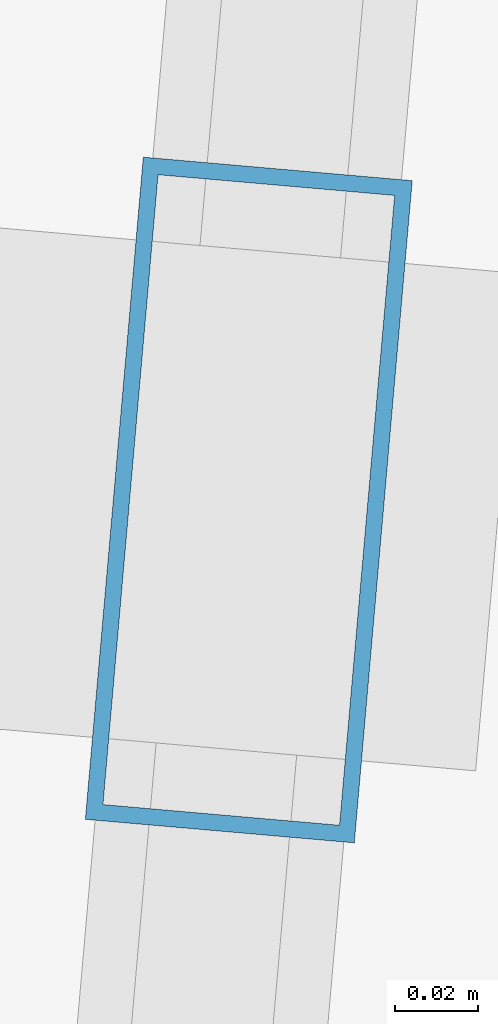
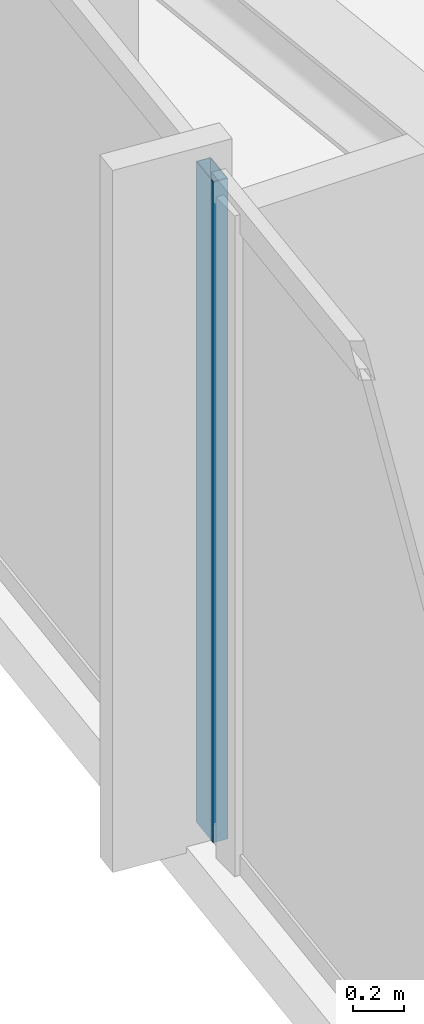
# One storey, part 5 of 32: 1 member, 1 element without a shape of its own.
"""IFC4 building model written with IfcOpenShell, lengths in metres."""

import ifcopenshell
import ifcopenshell.guid

model = None  # the IFC model being written
_history = None  # IfcOwnerHistory: only IFC2X3 demands one
_inside = {}  # id of a spatial element -> (the spatial element, [elements in it])
_under = {}  # id of a project, library or spatial element -> (it, [spatial elements below it])
_declared = {}  # id of a project -> (the project, [libraries it declares])
_typed = {}  # id of a type object -> (the type object, [elements of that type])
_made_of = {}  # id of a material, layer set ... -> (it, [elements and type objects made of it])


def new_model(schema):
    """Start an empty IFC model of exactly this schema.

    Asked for "IFC4X3", IfcOpenShell would pick the latest addendum, in which some entities
    have other attributes; the version numbers below select the first issue.
    IFC2X3 requires an IfcOwnerHistory on every rooted entity: one is made here for all.
    """
    global model, _history
    if schema == "IFC4X3":
        model = ifcopenshell.file(schema_version=(4, 3, 0, 0))
    else:
        model = ifcopenshell.file(schema=schema)
    _inside.clear()
    _under.clear()
    _declared.clear()
    _typed.clear()
    _made_of.clear()
    _history = None
    if model.schema == "IFC2X3":
        org = make("IfcOrganization", Name="unknown")
        user = make(
            "IfcPersonAndOrganization",
            ThePerson=make("IfcPerson", FamilyName="unknown"),
            TheOrganization=org,
        )
        app = make(
            "IfcApplication",
            ApplicationDeveloper=org,
            Version="unknown",
            ApplicationFullName="unknown",
            ApplicationIdentifier="unknown",
        )
        _history = make(
            "IfcOwnerHistory",
            OwningUser=user,
            OwningApplication=app,
            ChangeAction="ADDED",
            CreationDate=0,
        )
    return model


def make(cls, **values):
    """One entity of the class cls with the attributes given. An attribute that is None is left unset."""
    return model.create_entity(
        cls, **{name: value for name, value in values.items() if value is not None}
    )


def rooted(cls, **values):
    """An entity with a GlobalId (a new one), such as an element, a storey or a relation."""
    return make(cls, GlobalId=ifcopenshell.guid.new(), OwnerHistory=_history, **values)


def si_unit(unit_type, name, prefix=None):
    """IfcSIUnit, for example si_unit("LENGTHUNIT", "METRE", prefix="MILLI")."""
    return make("IfcSIUnit", UnitType=unit_type, Prefix=prefix, Name=name)


def assignment(units):
    """IfcUnitAssignment: the units of a project."""
    return None if units is None else make("IfcUnitAssignment", Units=units)


def point(xyz):
    """IfcCartesianPoint."""
    return None if xyz is None else make("IfcCartesianPoint", Coordinates=xyz)


def direction(xyz):
    """IfcDirection."""
    return None if xyz is None else make("IfcDirection", DirectionRatios=xyz)


def frame(location, z_axis=None, x_axis=None):
    """IfcAxis2Placement3D, a coordinate frame: its origin and axes. An axis left out is left unset."""
    return make(
        "IfcAxis2Placement3D",
        Location=point(location),
        Axis=direction(z_axis),
        RefDirection=direction(x_axis),
    )


def frame_2d(location, x_axis=None):
    """IfcAxis2Placement2D, a coordinate frame in the plane: its origin and x axis."""
    return make(
        "IfcAxis2Placement2D", Location=point(location), RefDirection=direction(x_axis)
    )


def origin():
    """The frame at (0, 0, 0) with its axes left unset."""
    return frame((0.0, 0.0, 0.0))


def origin_2d():
    """The frame at (0, 0) in the plane with its x axis left unset."""
    return frame_2d((0.0, 0.0))


def place(relative_to, where):
    """IfcLocalPlacement: puts the frame where relative to a parent placement (None: the world)."""
    return make(
        "IfcLocalPlacement", PlacementRelTo=relative_to, RelativePlacement=where
    )


def context(
    kind, dimensions, precision=None, world=None, true_north=None, identifier=None
):
    """IfcGeometricRepresentationContext, for example the 3D "Model" context."""
    return make(
        "IfcGeometricRepresentationContext",
        ContextIdentifier=identifier,
        ContextType=kind,
        CoordinateSpaceDimension=dimensions,
        Precision=precision,
        WorldCoordinateSystem=world,
        TrueNorth=true_north,
    )


def subcontext(parent, identifier, kind, view, scale=None):
    """IfcGeometricRepresentationSubContext, for example "Body" below "Model"."""
    return make(
        "IfcGeometricRepresentationSubContext",
        ContextIdentifier=identifier,
        ContextType=kind,
        ParentContext=parent,
        TargetScale=scale,
        TargetView=view,
    )


def project(units=None, contexts=None):
    """IfcProject with its units and contexts."""
    return rooted(
        "IfcProject",
        Name="project",
        RepresentationContexts=contexts,
        UnitsInContext=assignment(units),
    )


def spatial(cls, under=None, at=None, **own):
    """A site, building, storey or space (cls), placed at a placement, below another one or the project."""
    s = rooted(cls, ObjectPlacement=at, **own)
    if under is not None:
        _under.setdefault(under.id(), (under, []))[1].append(s)
    return s


def profile(cls, at=None, kind="AREA", **sizes):
    """A parametric profile (cls). Its sizes go by their IFC names, for example OverallWidth=200.0."""
    return make(cls, ProfileType=kind, Position=at, **sizes)


def hollow_rectangle(**sizes):
    """IfcRectangleHollowProfileDef."""
    return profile("IfcRectangleHollowProfileDef", **sizes)


def extrude(swept, where, along, depth):
    """IfcExtrudedAreaSolid: the profile swept, set in the frame where, extruded along a direction by depth."""
    return make(
        "IfcExtrudedAreaSolid",
        SweptArea=swept,
        Position=where,
        ExtrudedDirection=direction(along),
        Depth=depth,
    )


def shape(context_of_items, identifier, shape_type, items):
    """IfcShapeRepresentation: the items that make up one representation, for example the "Body"."""
    return make(
        "IfcShapeRepresentation",
        ContextOfItems=context_of_items,
        RepresentationIdentifier=identifier,
        RepresentationType=shape_type,
        Items=items,
    )


def material(Name=None, Category=None):
    """IfcMaterial."""
    return make("IfcMaterial", Name=Name, Category=Category)


def material_profile(
    of_material, cross_section, Name=None, Category=None, Priority=None
):
    """IfcMaterialProfile: a cross section and its material."""
    return make(
        "IfcMaterialProfile",
        Name=Name,
        Material=of_material,
        Profile=cross_section,
        Priority=Priority,
        Category=Category,
    )


def profile_set(profiles, Name=None, composite=None):
    """IfcMaterialProfileSet."""
    return make(
        "IfcMaterialProfileSet",
        Name=Name,
        MaterialProfiles=profiles,
        CompositeProfile=composite,
    )


def made_of(thing, what):
    """Note that an element or type object is made of a material, layer set ...; save() writes the relation."""
    if what is not None:
        _made_of.setdefault(what.id(), (what, []))[1].append(thing)
    return thing


def type_object(cls, material=None, **own):
    """A type object (cls), such as IfcWallType, which elements share."""
    return made_of(rooted(cls, **own), material)


def element(
    cls,
    number,
    at=None,
    inside=None,
    cuts=None,
    type_object=None,
    material=None,
    context=None,
    identifier="Body",
    shape_type=None,
    held_by="IfcProductDefinitionShape",
    body=None,
    shapes=None,
    **own,
):
    """One element of the class cls, such as IfcWall. Its Tag is "e" and its number.

    at: its placement. inside: the storey or other place that contains it. cuts: it is an
    opening in that element (IfcRelVoidsElement). A single representation is given by context,
    identifier, shape_type and body (its items); several are given by shapes. held_by: the class
    of the entity that holds the representations. save() writes the other relations.
    """
    e = rooted(cls, Tag="e%d" % number, ObjectPlacement=at, **own)
    if body is not None:
        shapes = [shape(context, identifier, shape_type, body)]
    if shapes is not None:
        e.Representation = make(held_by, Representations=shapes)
    if inside is not None:
        _inside.setdefault(inside.id(), (inside, []))[1].append(e)
    if cuts is not None:
        rooted(
            "IfcRelVoidsElement", RelatingBuildingElement=cuts, RelatedOpeningElement=e
        )
    if type_object is not None:
        _typed.setdefault(type_object.id(), (type_object, []))[1].append(e)
    return made_of(e, material)


def aggregate(whole, parts):
    """IfcRelAggregates: a whole, such as a stair, and the parts it consists of."""
    return rooted("IfcRelAggregates", RelatingObject=whole, RelatedObjects=parts)


def save(model, path):
    """Write the relations noted so far, then the file.

    IfcRelAggregates (storeys below a building ...), IfcRelContainedInSpatialStructure (elements
    in a storey), IfcRelDefinesByType, IfcRelAssociatesMaterial and IfcRelDeclares: one each for
    every whole, place, type object, material and project.
    """
    for whole, parts in _under.values():
        aggregate(whole, parts)
    for where, things in _inside.values():
        rooted(
            "IfcRelContainedInSpatialStructure",
            RelatedElements=things,
            RelatingStructure=where,
        )
    for kind, things in _typed.values():
        rooted("IfcRelDefinesByType", RelatedObjects=things, RelatingType=kind)
    for what, things in _made_of.values():
        rooted("IfcRelAssociatesMaterial", RelatedObjects=things, RelatingMaterial=what)
    for by, libraries in _declared.values():
        rooted("IfcRelDeclares", RelatingContext=by, RelatedDefinitions=libraries)
    model.write(path)


model = new_model("IFC4")

# Units and contexts
model_context = context("Model", 3, precision=1e-05, world=origin(), true_north=direction((0.0, 1.0)))
body_context = subcontext(model_context, "Body", "Model", "MODEL_VIEW")
ifc_project = project(units=[si_unit("LENGTHUNIT", "METRE"), si_unit("AREAUNIT", "SQUARE_METRE"), si_unit("VOLUMEUNIT", "CUBIC_METRE"), si_unit("PLANEANGLEUNIT", "RADIAN"), si_unit("MASSUNIT", "GRAM", prefix="KILO")], contexts=[model_context])

# Site, building, storey
site_placement = place(None, origin())
site = spatial("IfcSite", under=ifc_project, at=site_placement, CompositionType="ELEMENT")
building_placement = place(site_placement, origin())
building = spatial("IfcBuilding", under=site, at=building_placement, Name="Yelkora Congress Tower", CompositionType="ELEMENT")
storey_placement = place(building_placement, frame((0.0, 0.0, 272.699951171875)))
storey = spatial("IfcBuildingStorey", under=building, at=storey_placement, Name="L76", CompositionType="ELEMENT", Elevation=272.699951171875)

# Curtain wall, member
ifc_material_1 = material(Name="Anodised aluminium and insulated glass", Category="aluminium")
curtain_wall_type = type_object("IfcCurtainWallType", Name="CW-SYS-B5", PredefinedType="NOTDEFINED", material=ifc_material_1)
curtain_wall_placement = place(storey_placement, origin())
curtain_wall = element("IfcCurtainWall", 1, at=curtain_wall_placement, inside=storey, type_object=curtain_wall_type, Name="L76 Unitised Curtain Wall 5", PredefinedType="NOTDEFINED")
ifc_material_2 = material(Name="Anodised aluminium 6063-T6", Category="aluminium")
ifc_material_profile = material_profile(ifc_material_2, hollow_rectangle(XDim=0.06494140625, YDim=0.159912109375, WallThickness=0.00390625, at=origin_2d()), Name="ALU 65x160x4")
ifc_profile_set = profile_set([ifc_material_profile], Name="Anodised aluminium 6063-T6")
member_type = type_object("IfcMemberType", Name="MEM-ML-B5", PredefinedType="MULLION", material=ifc_profile_set)
member_placement = place(storey_placement, frame((6.313720703125, 28.49658203125, 0.0), z_axis=(0.0, 0.0, 1.0), x_axis=(-0.996194785929, 0.08715473876, 0.0)))
member = element("IfcMember", 2, at=member_placement, type_object=member_type, Name="CW-B5 mullion 2", PredefinedType="MULLION", context=body_context, shape_type="SweptSolid", body=[
    extrude(hollow_rectangle(XDim=0.06494140625, YDim=0.159912109375, WallThickness=0.00390625, at=origin_2d()), origin(), (0.0, 0.0, 1.0), 3.179931640625),
])
aggregate(curtain_wall, [member])

save(model, "model.ifc")
